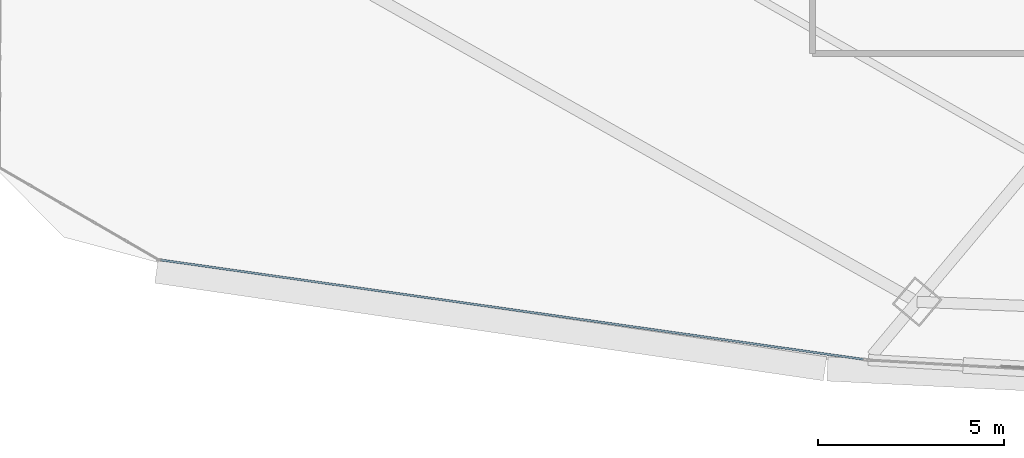
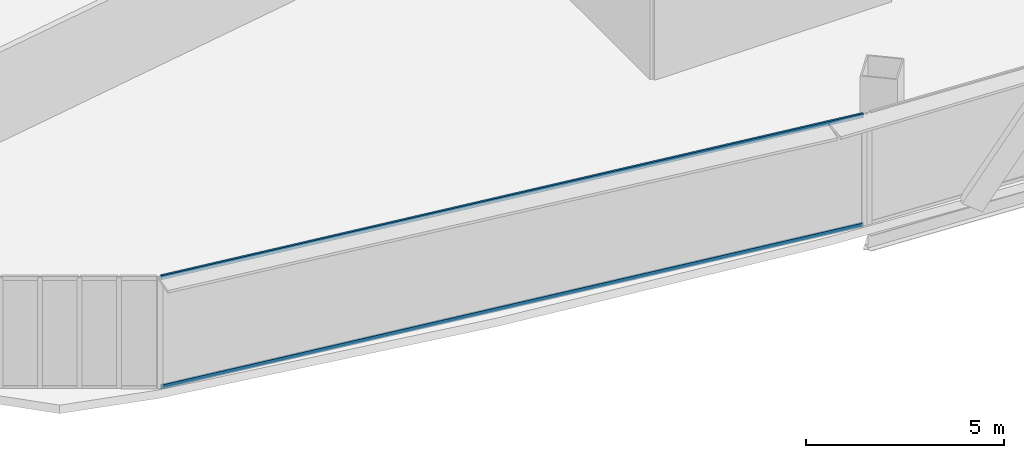
# One storey, part 3 of 42: 2 members, 1 element without a shape of its own.
"""IFC4 building model written with IfcOpenShell, lengths in metres."""

from ifc_helpers import new_model, si_unit, direction, frame, origin, origin_2d, place, context, subcontext, project, spatial, hollow_rectangle, extrude, source, transform, mapped, material, layer, layer_set, material_profile, profile_set, type_object, element, aggregate, save


model = new_model("IFC4")

# Units and contexts
model_context = context("Model", 3, precision=1e-05, world=origin(), true_north=direction((0.0, 1.0)))
body_context = subcontext(model_context, "Body", "Model", "MODEL_VIEW")
ifc_project = project(units=[si_unit("LENGTHUNIT", "METRE"), si_unit("AREAUNIT", "SQUARE_METRE"), si_unit("VOLUMEUNIT", "CUBIC_METRE"), si_unit("PLANEANGLEUNIT", "RADIAN"), si_unit("MASSUNIT", "GRAM", prefix="KILO"), si_unit("THERMODYNAMICTEMPERATUREUNIT", "KELVIN"), si_unit("POWERUNIT", "WATT")], contexts=[model_context])

# Site, building, storey
site_placement = place(None, origin())
site = spatial("IfcSite", under=ifc_project, at=site_placement, CompositionType="ELEMENT")
building_placement = place(site_placement, origin())
building = spatial("IfcBuilding", under=site, at=building_placement, Name="Yunzhuo Pagoda Commons", CompositionType="ELEMENT")
storey_placement = place(building_placement, frame((0.0, 0.0, 133.510009765625)))
storey = spatial("IfcBuildingStorey", under=building, at=storey_placement, Name="L33", CompositionType="ELEMENT", Elevation=133.510009765625)

# Curtain wall, members
ifc_material = material(Name="Anodized aluminium 6063-T6", Category="aluminium")
ifc_layer = layer(ifc_material, 0.14990234375)
ifc_layer_set = layer_set([ifc_layer], Name="Anodized aluminium 6063-T6")
curtain_wall_type = type_object("IfcCurtainWallType", Name="CW-MID Mid-Zone Ribbon Curtain Wall", PredefinedType="NOTDEFINED", material=ifc_layer_set)
curtain_wall_placement = place(storey_placement, origin())
curtain_wall = element("IfcCurtainWall", 1, at=curtain_wall_placement, inside=storey, type_object=curtain_wall_type, Name="L33 curtain wall CW-L33-F1B1", PredefinedType="NOTDEFINED")
ifc_material_profile = material_profile(ifc_material, hollow_rectangle(XDim=0.054931640625, YDim=0.1298828125, WallThickness=0.00341796875, at=origin_2d()), Name="Anodized aluminium 6063-T6")
ifc_profile_set = profile_set([ifc_material_profile], Name="Anodized aluminium 6063-T6")
member_type = type_object("IfcMemberType", Name="CW-MID-T Transom RHS 130x55x3.5", PredefinedType="USERDEFINED", material=ifc_profile_set)
shared_shape = source(origin(), body_context, "Body", "SweptSolid", [
    extrude(hollow_rectangle(XDim=0.054931640625, YDim=0.1298828125, WallThickness=0.00341796875, at=origin_2d()), origin(), (0.0, 0.0, 1.0), 19.068603515625),
])
member_1_placement = place(storey_placement, frame((12.08740234375, 16.25048828125, 0.027587890625), z_axis=(0.990147224482, -0.140030260479, 0.0), x_axis=(0.140030260479, 0.990147224482, 0.0)))
member_1 = element("IfcMember", 2, at=member_1_placement, type_object=member_type, Name="CW transom 1.1", ObjectType="TRANSOM", PredefinedType="USERDEFINED", context=body_context, shape_type="MappedRepresentation", body=[
    mapped(shared_shape, transform((0.0, 0.0, 0.0), scale=1.0)),
])
member_2_placement = place(storey_placement, frame((12.08740234375, 16.25048828125, 3.392578125), z_axis=(0.990147224482, -0.140030260479, 0.0), x_axis=(0.140030260479, 0.990147224482, 0.0)))
member_2 = element("IfcMember", 3, at=member_2_placement, type_object=member_type, Name="CW transom 1.2", ObjectType="TRANSOM", PredefinedType="USERDEFINED", context=body_context, shape_type="MappedRepresentation", body=[
    mapped(shared_shape, transform((0.0, 0.0, 0.0), scale=1.0)),
])
aggregate(curtain_wall, [member_1, member_2])

save(model, "model.ifc")
